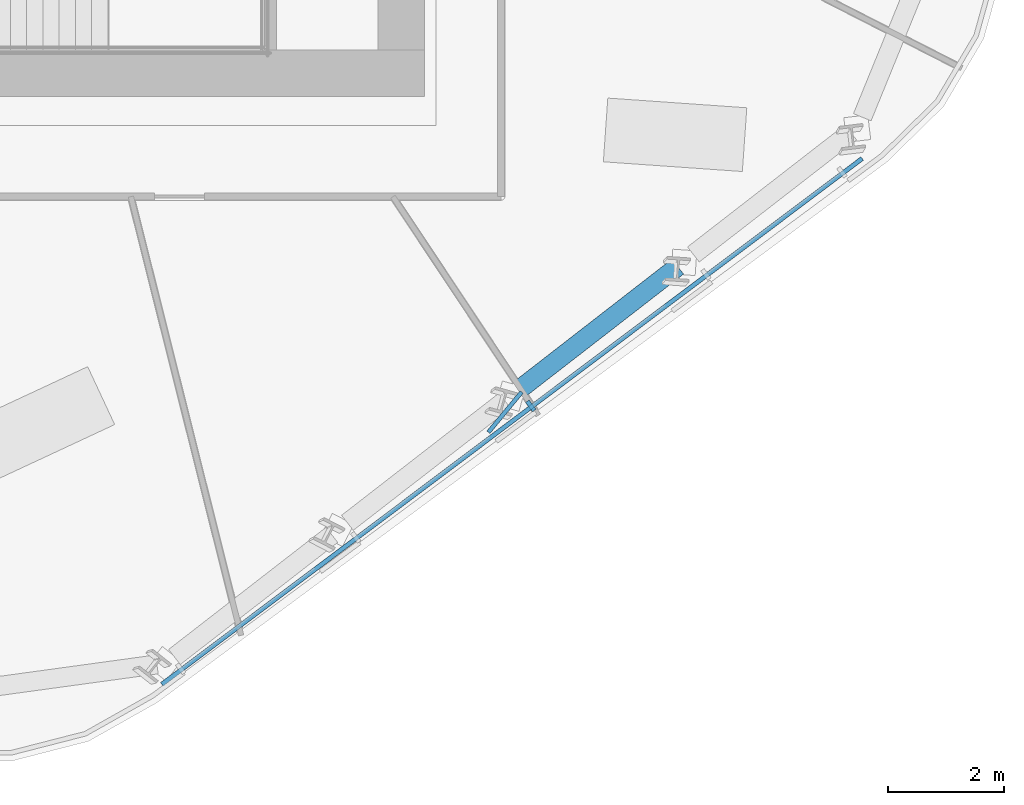
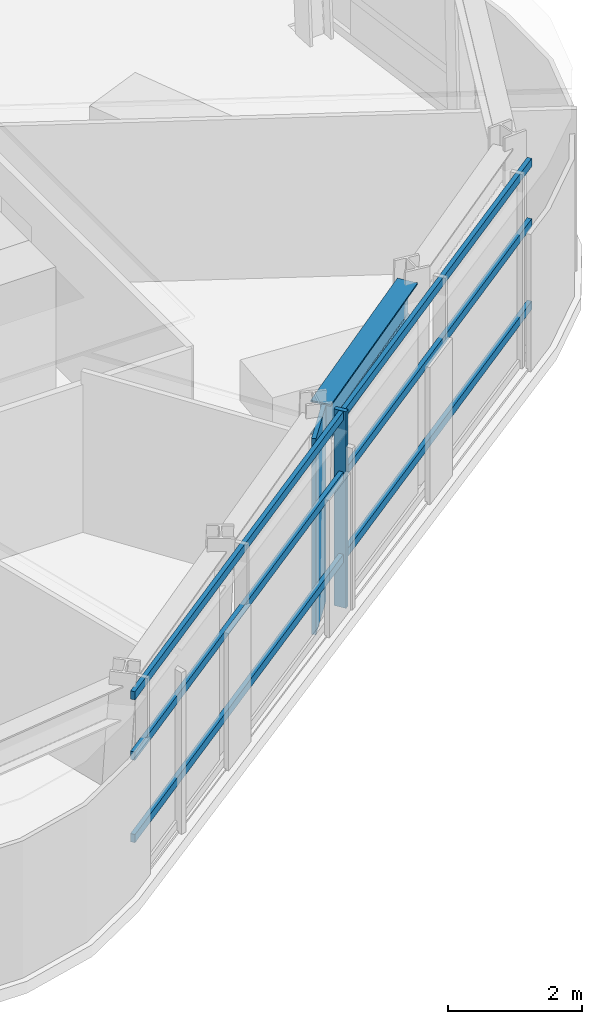
# One storey, part 3 of 14: 5 members, 1 beam, 1 element without a shape of its own.
"""IFC4 building model written with IfcOpenShell, lengths in metres."""

from ifc_helpers import new_model, si_unit, direction, frame, origin, origin_2d, place, context, subcontext, project, spatial, rectangle, i_section, extrude, material, layer, layer_set, material_profile, profile_set, type_object, element, aggregate, save


model = new_model("IFC4")

# Units and contexts
model_context = context("Model", 3, precision=1e-05, world=origin(), true_north=direction((0.0, 1.0)))
body_context = subcontext(model_context, "Body", "Model", "MODEL_VIEW")
ifc_project = project(units=[si_unit("LENGTHUNIT", "METRE"), si_unit("AREAUNIT", "SQUARE_METRE"), si_unit("VOLUMEUNIT", "CUBIC_METRE"), si_unit("PLANEANGLEUNIT", "RADIAN"), si_unit("MASSUNIT", "GRAM", prefix="KILO")], contexts=[model_context])

# Site, building, storey
site_placement = place(None, origin())
site = spatial("IfcSite", under=ifc_project, at=site_placement, CompositionType="ELEMENT")
building_placement = place(site_placement, origin())
building = spatial("IfcBuilding", under=site, at=building_placement, Name="Valkerne Bourse Tower", CompositionType="ELEMENT")
storey_placement = place(building_placement, frame((0.0, 0.0, 181.800048828125)))
storey = spatial("IfcBuildingStorey", under=building, at=storey_placement, Name="L46", CompositionType="ELEMENT", Elevation=181.800048828125)

# Beam
ifc_material_1 = material(Name="Steel ASTM A992", Category="steel")
ifc_material_profile_1 = material_profile(ifc_material_1, i_section(OverallWidth=0.32763671875, OverallDepth=0.62744140625, WebThickness=0.0166015625, FlangeThickness=0.027587890625, FilletRadius=0.020263671875, at=origin_2d()), Name="W24X146")
ifc_profile_set_1 = profile_set([ifc_material_profile_1], Name="Steel ASTM A992")
beam_type = type_object("IfcBeamType", Name="BM-W24X146", PredefinedType="SPANDREL", material=ifc_profile_set_1)
beam_placement = place(storey_placement, frame((58.054443359375, 12.768310546875, 3.266357421875), z_axis=(0.790160019381, 0.612900598606, 0.0), x_axis=(-0.612900598606, 0.790160019381, 0.0)))
element("IfcBeam", 1, at=beam_placement, inside=storey, type_object=beam_type, Name="L46 Hexagonal Spandrel Ring Beam 22", PredefinedType="SPANDREL", context=body_context, shape_type="SweptSolid", body=[
    extrude(i_section(OverallWidth=0.32763671875, OverallDepth=0.62744140625, WebThickness=0.0166015625, FlangeThickness=0.027587890625, FilletRadius=0.020263671875, at=origin_2d()), origin(), (0.0, 0.0, 1.0), 3.430908203125),
])

# Curtain wall, members
ifc_material_2 = material(Name="Aluminium AA 6063-T6", Category="aluminium")
ifc_layer = layer(ifc_material_2, 0.235107421875)
ifc_layer_set = layer_set([ifc_layer], Name="Aluminium AA 6063-T6")
curtain_wall_type = type_object("IfcCurtainWallType", Name="CW-03", PredefinedType="NOTDEFINED", material=ifc_layer_set)
curtain_wall_placement = place(storey_placement, origin())
curtain_wall = element("IfcCurtainWall", 2, at=curtain_wall_placement, inside=storey, type_object=curtain_wall_type, Name="L46 Hexagonal Stick Curtain Wall Face 5", PredefinedType="NOTDEFINED")
ifc_material_profile_2 = material_profile(ifc_material_2, rectangle(XDim=0.074951171875, YDim=0.199951171875, at=origin_2d()), Name="CWM-75X200")
ifc_profile_set_2 = profile_set([ifc_material_profile_2], Name="Aluminium AA 6063-T6")
member_type_1 = type_object("IfcMemberType", Name="CW-MUL-220X75", PredefinedType="MULLION", material=ifc_profile_set_2)
member_1_placement = place(storey_placement, frame((58.233642578125, 12.471435546875, 0.0), z_axis=(0.0, 0.0, 1.0), x_axis=(0.799681669547, 0.600424206199, 0.0)))
member_1 = element("IfcMember", 3, at=member_1_placement, type_object=member_type_1, Name="CW-L46-F5 Jamb Mullion 02A", PredefinedType="MULLION", context=body_context, shape_type="SweptSolid", body=[
    extrude(rectangle(XDim=0.074951171875, YDim=0.199951171875, at=origin_2d()), origin(), (0.0, 0.0, 1.0), 3.579833984375),
])
ifc_material_profile_3 = material_profile(ifc_material_2, rectangle(XDim=0.074951171875, YDim=0.14990234375, at=origin_2d()), Name="CWT-75X150")
ifc_profile_set_3 = profile_set([ifc_material_profile_3], Name="Aluminium AA 6063-T6")
member_type_2 = type_object("IfcMemberType", Name="CW-TRN-180X65", PredefinedType="USERDEFINED", material=ifc_profile_set_3)
member_2_placement = place(storey_placement, frame((51.87841796875, 7.6748046875, 0.89990234375), z_axis=(0.799681361337, 0.600424616692, 0.0), x_axis=(-0.600424616692, 0.799681361337, 0.0)))
member_2 = element("IfcMember", 4, at=member_2_placement, type_object=member_type_2, Name="CW-L46-F5 Continuous Face Transom 2", ObjectType="TRANSOM", PredefinedType="USERDEFINED", context=body_context, shape_type="SweptSolid", body=[
    extrude(rectangle(XDim=0.074951171875, YDim=0.14990234375, at=origin_2d()), origin(), (0.0, 0.0, 1.0), 15.084228515625),
])
member_3_placement = place(storey_placement, frame((51.87841796875, 7.6748046875, 2.39990234375), z_axis=(0.799681361337, 0.600424616692, 0.0), x_axis=(-0.600424616692, 0.799681361337, 0.0)))
member_3 = element("IfcMember", 5, at=member_3_placement, type_object=member_type_2, Name="CW-L46-F5 Continuous Face Transom 3", ObjectType="TRANSOM", PredefinedType="USERDEFINED", context=body_context, shape_type="SweptSolid", body=[
    extrude(rectangle(XDim=0.074951171875, YDim=0.14990234375, at=origin_2d()), origin(), (0.0, 0.0, 1.0), 15.084228515625),
])
member_4_placement = place(storey_placement, frame((51.87841796875, 7.6748046875, 3.5), z_axis=(0.799681361337, 0.600424616692, 0.0), x_axis=(-0.600424616692, 0.799681361337, 0.0)))
member_4 = element("IfcMember", 6, at=member_4_placement, type_object=member_type_2, Name="CW-L46-F5 Continuous Face Transom 4", ObjectType="TRANSOM", PredefinedType="USERDEFINED", context=body_context, shape_type="SweptSolid", body=[
    extrude(rectangle(XDim=0.074951171875, YDim=0.14990234375, at=origin_2d()), origin(), (0.0, 0.0, 1.0), 15.084228515625),
])
aggregate(curtain_wall, [member_2, member_3, member_4, member_1])

# Member
ifc_material_3 = material(Name="Bronze Anodised Aluminium AA 6063-T6", Category="aluminium")
ifc_material_profile_4 = material_profile(ifc_material_3, rectangle(XDim=0.070068359375, YDim=0.89990234375, at=origin_2d()), Name="FIN-70X900")
ifc_profile_set_4 = profile_set([ifc_material_profile_4], Name="Bronze Anodised Aluminium AA 6063-T6")
member_type_3 = type_object("IfcMemberType", Name="FIN-SOLAR-900", PredefinedType="USERDEFINED", material=ifc_profile_set_4)
member_5_placement = place(storey_placement, frame((57.789794921875, 12.36328125, 0.00390625), z_axis=(0.0, 0.0, 1.0), x_axis=(0.770119760534, -0.637899329389, 0.0)))
element("IfcMember", 7, at=member_5_placement, inside=storey, type_object=member_type_3, Name="L46 Bronze Anodised Solar Fin F5-02", ObjectType="SOLAR_FIN", PredefinedType="USERDEFINED", context=body_context, shape_type="SweptSolid", body=[
    extrude(rectangle(XDim=0.070068359375, YDim=0.89990234375, at=origin_2d()), origin(), (0.0, 0.0, 1.0), 3.572021484375),
])

save(model, "model.ifc")
